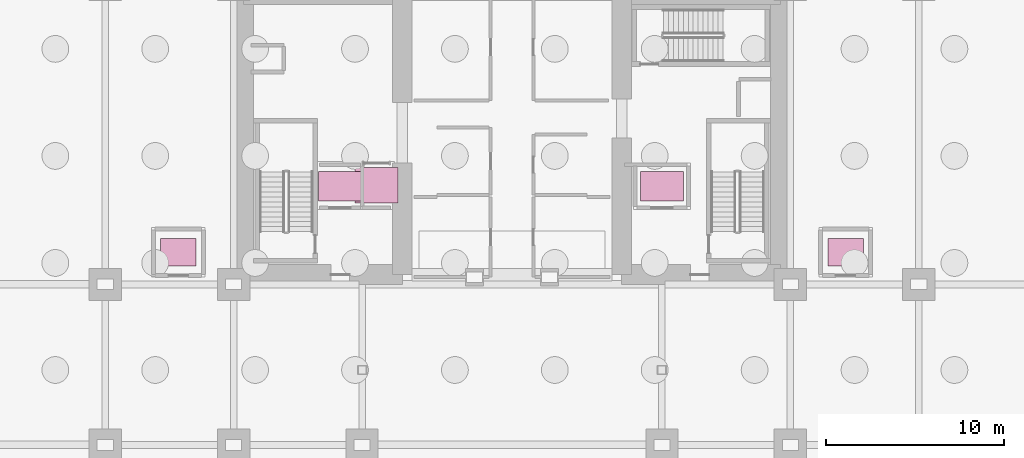
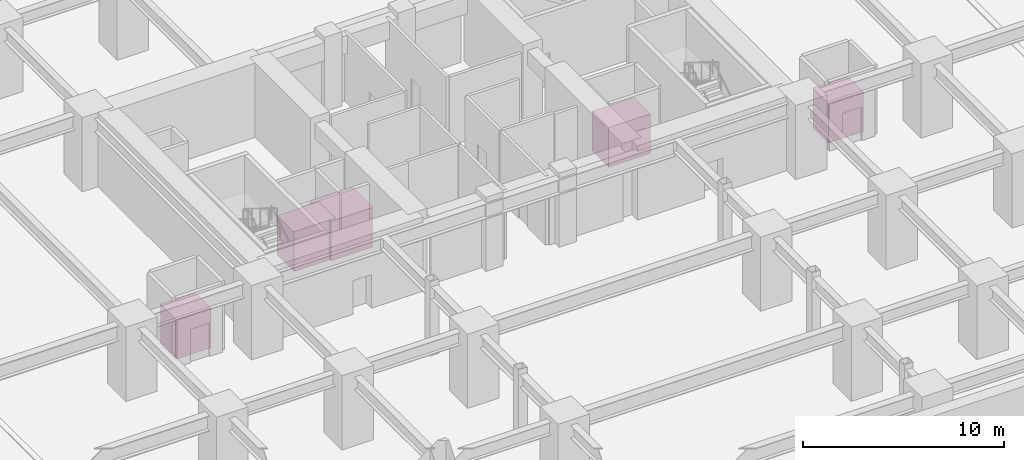
# One storey, part 23 of 23: 5 transport elements.
"""IFC4 building model written with IfcOpenShell, lengths in metres."""

from ifc_helpers import new_model, si_unit, direction, frame, origin, origin_2d, place, context, subcontext, project, spatial, rectangle, extrude, material, type_object, element, save


model = new_model("IFC4")

# Units and contexts
model_context = context("Model", 3, precision=1e-05, world=origin(), true_north=direction((0.0, 1.0)))
body_context = subcontext(model_context, "Body", "Model", "MODEL_VIEW")
ifc_project = project(units=[si_unit("LENGTHUNIT", "METRE"), si_unit("AREAUNIT", "SQUARE_METRE"), si_unit("VOLUMEUNIT", "CUBIC_METRE"), si_unit("PLANEANGLEUNIT", "RADIAN"), si_unit("MASSUNIT", "GRAM", prefix="KILO")], contexts=[model_context])

# Site, building, storey
site_placement = place(None, origin())
site = spatial("IfcSite", under=ifc_project, at=site_placement, CompositionType="ELEMENT")
building_placement = place(site_placement, origin())
building = spatial("IfcBuilding", under=site, at=building_placement, Name="Kiyonajd Concourse Tower", CompositionType="ELEMENT")
storey_placement = place(building_placement, frame((0.0, 0.0, -9.0)))
storey = spatial("IfcBuildingStorey", under=building, at=storey_placement, Name="B2", CompositionType="ELEMENT", Elevation=-9.0)

# Transport elements
ifc_material = material(Name="Brushed Stainless Steel Cab Assembly", Category="steel")
transport_element_type_1 = type_object("IfcTransportElementType", Name="EL-FFL-2400", PredefinedType="ELEVATOR", material=ifc_material)
for number, where, z_axis, x_axis, name in (
    (1, (38.35009765625, 33.10009765625, 0.0), (0.0, 0.0, 1.0), (1.0, 0.0, 0.0), "Firefighting Lift FFL1"),
    (2, (56.39990234375, 33.10009765625, 0.0), (0.0, 0.0, 1.0), (1.0, 0.0, 0.0), "Firefighting Lift FFL2"),
):
    element("IfcTransportElement", number, at=place(storey_placement, frame(where, z_axis=z_axis, x_axis=x_axis)), inside=storey, type_object=transport_element_type_1, Name=name, PredefinedType="ELEVATOR", context=body_context, shape_type="SweptSolid", body=[
        extrude(rectangle(XDim=2.39990234375, YDim=1.64990234375, at=origin_2d()), origin(), (0.0, 0.0, 1.0), 2.39990234375),
    ])
transport_element_type_2 = type_object("IfcTransportElementType", Name="EL-POD-2000", PredefinedType="ELEVATOR", material=ifc_material)
for number, where, z_axis, x_axis, name in (
    (3, (29.300048828125, 29.39990234375, 0.0), (0.0, 0.0, 1.0), (1.0, 0.0, 0.0), "Podium Concourse Lift PD1"),
    (4, (66.699951171875, 29.39990234375, 0.0), (0.0, 0.0, 1.0), (1.0, 0.0, 0.0), "Podium Concourse Lift PD2"),
):
    element("IfcTransportElement", number, at=place(storey_placement, frame(where, z_axis=z_axis, x_axis=x_axis)), inside=storey, type_object=transport_element_type_2, Name=name, PredefinedType="ELEVATOR", context=body_context, shape_type="SweptSolid", body=[
        extrude(rectangle(XDim=2.0, YDim=1.550048828125, at=origin_2d()), origin(), (0.0, 0.0, 1.0), 2.39990234375),
    ])
transport_element_type_3 = type_object("IfcTransportElementType", Name="EL-SVL-2400", PredefinedType="ELEVATOR", material=ifc_material)
transport_element_placement = place(storey_placement, frame((40.39990234375, 33.14990234375, 0.0), z_axis=(0.0, 0.0, 1.0), x_axis=(1.0, 0.0, 0.0)))
element("IfcTransportElement", 5, at=transport_element_placement, inside=storey, type_object=transport_element_type_3, Name="Goods Service Lift SVL1", PredefinedType="ELEVATOR", context=body_context, shape_type="SweptSolid", body=[
    extrude(rectangle(XDim=2.39990234375, YDim=2.0, at=origin_2d()), origin(), (0.0, 0.0, 1.0), 2.39990234375),
])

save(model, "model.ifc")
